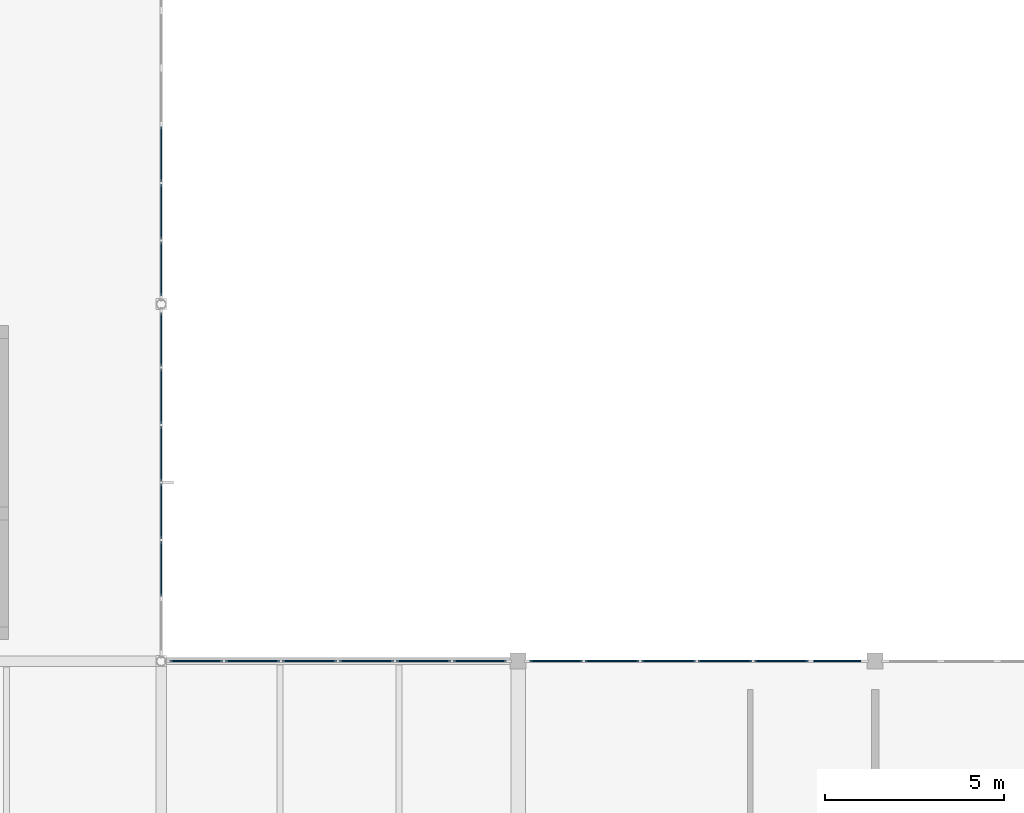
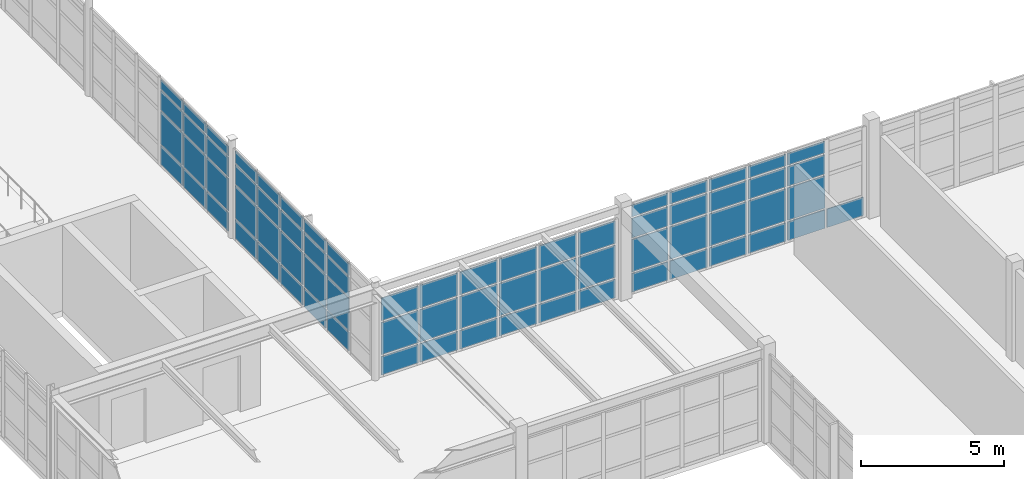
# One storey, part 93 of 122: 71 plates, 4 elements without a shape of their own.
"""IFC4 building model written with IfcOpenShell, lengths in metres."""

from ifc_helpers import new_model, si_unit, direction, frame, origin, origin_2d, place, context, subcontext, project, spatial, rectangle, extrude, material, layer, layer_set, type_object, element, aggregate, save


model = new_model("IFC4")

# Units and contexts
model_context = context("Model", 3, precision=1e-05, world=origin(), true_north=direction((0.0, 1.0)))
body_context = subcontext(model_context, "Body", "Model", "MODEL_VIEW")
ifc_project = project(units=[si_unit("LENGTHUNIT", "METRE"), si_unit("AREAUNIT", "SQUARE_METRE"), si_unit("VOLUMEUNIT", "CUBIC_METRE"), si_unit("PLANEANGLEUNIT", "RADIAN"), si_unit("MASSUNIT", "GRAM", prefix="KILO"), si_unit("THERMODYNAMICTEMPERATUREUNIT", "KELVIN"), si_unit("POWERUNIT", "WATT")], contexts=[model_context])

# Site, building, storey
site_placement = place(None, origin())
site = spatial("IfcSite", under=ifc_project, at=site_placement, CompositionType="ELEMENT")
building_placement = place(site_placement, origin())
building = spatial("IfcBuilding", under=site, at=building_placement, Name="Korenveer Ferry Terminal", CompositionType="ELEMENT")
storey_placement = place(building_placement, frame((0.0, 0.0, 10.199951171875)))
storey = spatial("IfcBuildingStorey", under=building, at=storey_placement, Name="L02", CompositionType="ELEMENT", Elevation=10.199951171875)

# Curtain wall, plates
ifc_material_1 = material(Name="Unitised bronze-and-glass curtain wall", Category="glass")
ifc_layer_1 = layer(ifc_material_1, 0.219970703125)
ifc_layer_set_1 = layer_set([ifc_layer_1], Name="Unitised bronze-and-glass curtain wall")
curtain_wall_type_1 = type_object("IfcCurtainWallType", Name="ENV-CW-98", PredefinedType="USERDEFINED", material=ifc_layer_set_1)
curtain_wall_1_placement = place(storey_placement, frame((136.16650390625, 80.0, 0.0)))
curtain_wall_1 = element("IfcCurtainWall", 1, at=curtain_wall_1_placement, inside=storey, type_object=curtain_wall_type_1, Name="Lancet curtain wall CWX-L02-X136-146-Y80-80", ObjectType="UNITISED CURTAIN WALL", PredefinedType="USERDEFINED")
ifc_material_2 = material(Name="Acoustic laminated marine glazing", Category="glass")
ifc_layer_2 = layer(ifc_material_2, 0.035888671875)
ifc_layer_set_2 = layer_set([ifc_layer_2], Name="Acoustic laminated marine glazing")
plate_type = type_object("IfcPlateType", Name="ENV-CWP-GLZ36", PredefinedType="CURTAIN_PANEL", material=ifc_layer_set_2)
plate_1_placement = place(storey_placement, frame((136.9833984375, 80.0, 0.074951171875), z_axis=(0.0, 0.0, 1.0), x_axis=(1.0, 0.0, 0.0)))
plate_1 = element("IfcPlate", 2, at=plate_1_placement, type_object=plate_type, Name="CW-98 panel 1.1", PredefinedType="CURTAIN_PANEL", context=body_context, shape_type="SweptSolid", body=[
    extrude(rectangle(XDim=1.48388671875, YDim=0.035888671875, at=origin_2d()), origin(), (0.0, 0.0, 1.0), 0.78759765625),
])
plate_2_placement = place(storey_placement, frame((136.9833984375, 80.0, 0.9375), z_axis=(0.0, 0.0, 1.0), x_axis=(1.0, 0.0, 0.0)))
plate_2 = element("IfcPlate", 3, at=plate_2_placement, type_object=plate_type, Name="CW-98 panel 1.2", PredefinedType="CURTAIN_PANEL", context=body_context, shape_type="SweptSolid", body=[
    extrude(rectangle(XDim=1.48388671875, YDim=0.035888671875, at=origin_2d()), origin(), (0.0, 0.0, 1.0), 1.375),
])
plate_3_placement = place(storey_placement, frame((136.9833984375, 80.0, 2.3876953125), z_axis=(0.0, 0.0, 1.0), x_axis=(1.0, 0.0, 0.0)))
plate_3 = element("IfcPlate", 4, at=plate_3_placement, type_object=plate_type, Name="CW-98 panel 1.3", PredefinedType="CURTAIN_PANEL", context=body_context, shape_type="SweptSolid", body=[
    extrude(rectangle(XDim=1.48388671875, YDim=0.035888671875, at=origin_2d()), origin(), (0.0, 0.0, 1.0), 0.967529296875),
])
plate_4_placement = place(storey_placement, frame((138.56103515625, 80.0, 0.074951171875), z_axis=(0.0, 0.0, 1.0), x_axis=(1.0, 0.0, 0.0)))
plate_4 = element("IfcPlate", 5, at=plate_4_placement, type_object=plate_type, Name="CW-98 panel 2.1", PredefinedType="CURTAIN_PANEL", context=body_context, shape_type="SweptSolid", body=[
    extrude(rectangle(XDim=1.521484375, YDim=0.035888671875, at=origin_2d()), origin(), (0.0, 0.0, 1.0), 0.78759765625),
])
plate_5_placement = place(storey_placement, frame((138.56103515625, 80.0, 0.9375), z_axis=(0.0, 0.0, 1.0), x_axis=(1.0, 0.0, 0.0)))
plate_5 = element("IfcPlate", 6, at=plate_5_placement, type_object=plate_type, Name="CW-98 panel 2.2", PredefinedType="CURTAIN_PANEL", context=body_context, shape_type="SweptSolid", body=[
    extrude(rectangle(XDim=1.521484375, YDim=0.035888671875, at=origin_2d()), origin(), (0.0, 0.0, 1.0), 1.375),
])
plate_6_placement = place(storey_placement, frame((138.56103515625, 80.0, 2.3876953125), z_axis=(0.0, 0.0, 1.0), x_axis=(1.0, 0.0, 0.0)))
plate_6 = element("IfcPlate", 7, at=plate_6_placement, type_object=plate_type, Name="CW-98 panel 2.3", PredefinedType="CURTAIN_PANEL", context=body_context, shape_type="SweptSolid", body=[
    extrude(rectangle(XDim=1.521484375, YDim=0.035888671875, at=origin_2d()), origin(), (0.0, 0.0, 1.0), 0.967529296875),
])
plate_7_placement = place(storey_placement, frame((140.157470703125, 80.0, 0.074951171875), z_axis=(0.0, 0.0, 1.0), x_axis=(1.0, 0.0, 0.0)))
plate_7 = element("IfcPlate", 8, at=plate_7_placement, type_object=plate_type, Name="CW-98 panel 3.1", PredefinedType="CURTAIN_PANEL", context=body_context, shape_type="SweptSolid", body=[
    extrude(rectangle(XDim=1.521484375, YDim=0.035888671875, at=origin_2d()), origin(), (0.0, 0.0, 1.0), 0.78759765625),
])
plate_8_placement = place(storey_placement, frame((140.157470703125, 80.0, 0.9375), z_axis=(0.0, 0.0, 1.0), x_axis=(1.0, 0.0, 0.0)))
plate_8 = element("IfcPlate", 9, at=plate_8_placement, type_object=plate_type, Name="CW-98 panel 3.2", PredefinedType="CURTAIN_PANEL", context=body_context, shape_type="SweptSolid", body=[
    extrude(rectangle(XDim=1.521484375, YDim=0.035888671875, at=origin_2d()), origin(), (0.0, 0.0, 1.0), 1.375),
])
plate_9_placement = place(storey_placement, frame((140.157470703125, 80.0, 2.3876953125), z_axis=(0.0, 0.0, 1.0), x_axis=(1.0, 0.0, 0.0)))
plate_9 = element("IfcPlate", 10, at=plate_9_placement, type_object=plate_type, Name="CW-98 panel 3.3", PredefinedType="CURTAIN_PANEL", context=body_context, shape_type="SweptSolid", body=[
    extrude(rectangle(XDim=1.521484375, YDim=0.035888671875, at=origin_2d()), origin(), (0.0, 0.0, 1.0), 0.967529296875),
])
plate_10_placement = place(storey_placement, frame((141.75390625, 80.0, 0.074951171875), z_axis=(0.0, 0.0, 1.0), x_axis=(1.0, 0.0, 0.0)))
plate_10 = element("IfcPlate", 11, at=plate_10_placement, type_object=plate_type, Name="CW-98 panel 4.1", PredefinedType="CURTAIN_PANEL", context=body_context, shape_type="SweptSolid", body=[
    extrude(rectangle(XDim=1.521484375, YDim=0.035888671875, at=origin_2d()), origin(), (0.0, 0.0, 1.0), 0.78759765625),
])
plate_11_placement = place(storey_placement, frame((141.75390625, 80.0, 0.9375), z_axis=(0.0, 0.0, 1.0), x_axis=(1.0, 0.0, 0.0)))
plate_11 = element("IfcPlate", 12, at=plate_11_placement, type_object=plate_type, Name="CW-98 panel 4.2", PredefinedType="CURTAIN_PANEL", context=body_context, shape_type="SweptSolid", body=[
    extrude(rectangle(XDim=1.521484375, YDim=0.035888671875, at=origin_2d()), origin(), (0.0, 0.0, 1.0), 1.375),
])
plate_12_placement = place(storey_placement, frame((141.75390625, 80.0, 2.3876953125), z_axis=(0.0, 0.0, 1.0), x_axis=(1.0, 0.0, 0.0)))
plate_12 = element("IfcPlate", 13, at=plate_12_placement, type_object=plate_type, Name="CW-98 panel 4.3", PredefinedType="CURTAIN_PANEL", context=body_context, shape_type="SweptSolid", body=[
    extrude(rectangle(XDim=1.521484375, YDim=0.035888671875, at=origin_2d()), origin(), (0.0, 0.0, 1.0), 0.967529296875),
])
plate_13_placement = place(storey_placement, frame((143.350341796875, 80.0, 0.074951171875), z_axis=(0.0, 0.0, 1.0), x_axis=(1.0, 0.0, 0.0)))
plate_13 = element("IfcPlate", 14, at=plate_13_placement, type_object=plate_type, Name="CW-98 panel 5.1", PredefinedType="CURTAIN_PANEL", context=body_context, shape_type="SweptSolid", body=[
    extrude(rectangle(XDim=1.521484375, YDim=0.035888671875, at=origin_2d()), origin(), (0.0, 0.0, 1.0), 0.78759765625),
])
plate_14_placement = place(storey_placement, frame((143.350341796875, 80.0, 0.9375), z_axis=(0.0, 0.0, 1.0), x_axis=(1.0, 0.0, 0.0)))
plate_14 = element("IfcPlate", 15, at=plate_14_placement, type_object=plate_type, Name="CW-98 panel 5.2", PredefinedType="CURTAIN_PANEL", context=body_context, shape_type="SweptSolid", body=[
    extrude(rectangle(XDim=1.521484375, YDim=0.035888671875, at=origin_2d()), origin(), (0.0, 0.0, 1.0), 1.375),
])
plate_15_placement = place(storey_placement, frame((143.350341796875, 80.0, 2.3876953125), z_axis=(0.0, 0.0, 1.0), x_axis=(1.0, 0.0, 0.0)))
plate_15 = element("IfcPlate", 16, at=plate_15_placement, type_object=plate_type, Name="CW-98 panel 5.3", PredefinedType="CURTAIN_PANEL", context=body_context, shape_type="SweptSolid", body=[
    extrude(rectangle(XDim=1.521484375, YDim=0.035888671875, at=origin_2d()), origin(), (0.0, 0.0, 1.0), 0.967529296875),
])
plate_16_placement = place(storey_placement, frame((144.927978515625, 80.0, 0.074951171875), z_axis=(0.0, 0.0, 1.0), x_axis=(1.0, 0.0, 0.0)))
plate_16 = element("IfcPlate", 17, at=plate_16_placement, type_object=plate_type, Name="CW-98 panel 6.1", PredefinedType="CURTAIN_PANEL", context=body_context, shape_type="SweptSolid", body=[
    extrude(rectangle(XDim=1.48388671875, YDim=0.035888671875, at=origin_2d()), origin(), (0.0, 0.0, 1.0), 0.78759765625),
])
plate_17_placement = place(storey_placement, frame((144.927978515625, 80.0, 0.9375), z_axis=(0.0, 0.0, 1.0), x_axis=(1.0, 0.0, 0.0)))
plate_17 = element("IfcPlate", 18, at=plate_17_placement, type_object=plate_type, Name="CW-98 panel 6.2", PredefinedType="CURTAIN_PANEL", context=body_context, shape_type="SweptSolid", body=[
    extrude(rectangle(XDim=1.48388671875, YDim=0.035888671875, at=origin_2d()), origin(), (0.0, 0.0, 1.0), 1.375),
])
plate_18_placement = place(storey_placement, frame((144.927978515625, 80.0, 2.3876953125), z_axis=(0.0, 0.0, 1.0), x_axis=(1.0, 0.0, 0.0)))
plate_18 = element("IfcPlate", 19, at=plate_18_placement, type_object=plate_type, Name="CW-98 panel 6.3", PredefinedType="CURTAIN_PANEL", context=body_context, shape_type="SweptSolid", body=[
    extrude(rectangle(XDim=1.48388671875, YDim=0.035888671875, at=origin_2d()), origin(), (0.0, 0.0, 1.0), 0.967529296875),
])
aggregate(curtain_wall_1, [plate_1, plate_2, plate_3, plate_4, plate_5, plate_6, plate_7, plate_8, plate_9, plate_10, plate_11, plate_12, plate_13, plate_14, plate_15, plate_16, plate_17, plate_18])

ifc_layer_3 = layer(ifc_material_1, 0.219970703125)
ifc_layer_set_3 = layer_set([ifc_layer_3], Name="Unitised bronze-and-glass curtain wall")
curtain_wall_type_2 = type_object("IfcCurtainWallType", Name="ENV-CW-99", PredefinedType="USERDEFINED", material=ifc_layer_set_3)
curtain_wall_2_placement = place(storey_placement, frame((146.2548828125, 80.0, 0.0)))
curtain_wall_2 = element("IfcCurtainWall", 20, at=curtain_wall_2_placement, inside=storey, type_object=curtain_wall_type_2, Name="Lancet curtain wall CWX-L02-X146-156-Y80-80", ObjectType="UNITISED CURTAIN WALL", PredefinedType="USERDEFINED")
plate_19_placement = place(storey_placement, frame((147.064697265625, 80.0, 0.074951171875), z_axis=(0.0, 0.0, 1.0), x_axis=(1.0, 0.0, 0.0)))
plate_19 = element("IfcPlate", 21, at=plate_19_placement, type_object=plate_type, Name="CW-99 panel 1.1", PredefinedType="CURTAIN_PANEL", context=body_context, shape_type="SweptSolid", body=[
    extrude(rectangle(XDim=1.46923828125, YDim=0.035888671875, at=origin_2d()), origin(), (0.0, 0.0, 1.0), 0.78759765625),
])
plate_20_placement = place(storey_placement, frame((147.064697265625, 80.0, 0.9375), z_axis=(0.0, 0.0, 1.0), x_axis=(1.0, 0.0, 0.0)))
plate_20 = element("IfcPlate", 22, at=plate_20_placement, type_object=plate_type, Name="CW-99 panel 1.2", PredefinedType="CURTAIN_PANEL", context=body_context, shape_type="SweptSolid", body=[
    extrude(rectangle(XDim=1.46923828125, YDim=0.035888671875, at=origin_2d()), origin(), (0.0, 0.0, 1.0), 1.375),
])
plate_21_placement = place(storey_placement, frame((147.064697265625, 80.0, 2.3876953125), z_axis=(0.0, 0.0, 1.0), x_axis=(1.0, 0.0, 0.0)))
plate_21 = element("IfcPlate", 23, at=plate_21_placement, type_object=plate_type, Name="CW-99 panel 1.3", PredefinedType="CURTAIN_PANEL", context=body_context, shape_type="SweptSolid", body=[
    extrude(rectangle(XDim=1.46923828125, YDim=0.035888671875, at=origin_2d()), origin(), (0.0, 0.0, 1.0), 0.824951171875),
])
plate_22_placement = place(storey_placement, frame((147.064697265625, 80.0, 3.28759765625), z_axis=(0.0, 0.0, 1.0), x_axis=(1.0, 0.0, 0.0)))
plate_22 = element("IfcPlate", 24, at=plate_22_placement, type_object=plate_type, Name="CW-99 panel 1.4", PredefinedType="CURTAIN_PANEL", context=body_context, shape_type="SweptSolid", body=[
    extrude(rectangle(XDim=1.46923828125, YDim=0.035888671875, at=origin_2d()), origin(), (0.0, 0.0, 1.0), 0.49755859375),
])
plate_23_placement = place(storey_placement, frame((148.62744140625, 80.0, 0.074951171875), z_axis=(0.0, 0.0, 1.0), x_axis=(1.0, 0.0, 0.0)))
plate_23 = element("IfcPlate", 25, at=plate_23_placement, type_object=plate_type, Name="CW-99 panel 2.1", PredefinedType="CURTAIN_PANEL", context=body_context, shape_type="SweptSolid", body=[
    extrude(rectangle(XDim=1.506591796875, YDim=0.035888671875, at=origin_2d()), origin(), (0.0, 0.0, 1.0), 0.78759765625),
])
plate_24_placement = place(storey_placement, frame((148.62744140625, 80.0, 0.9375), z_axis=(0.0, 0.0, 1.0), x_axis=(1.0, 0.0, 0.0)))
plate_24 = element("IfcPlate", 26, at=plate_24_placement, type_object=plate_type, Name="CW-99 panel 2.2", PredefinedType="CURTAIN_PANEL", context=body_context, shape_type="SweptSolid", body=[
    extrude(rectangle(XDim=1.506591796875, YDim=0.035888671875, at=origin_2d()), origin(), (0.0, 0.0, 1.0), 1.375),
])
plate_25_placement = place(storey_placement, frame((148.62744140625, 80.0, 2.3876953125), z_axis=(0.0, 0.0, 1.0), x_axis=(1.0, 0.0, 0.0)))
plate_25 = element("IfcPlate", 27, at=plate_25_placement, type_object=plate_type, Name="CW-99 panel 2.3", PredefinedType="CURTAIN_PANEL", context=body_context, shape_type="SweptSolid", body=[
    extrude(rectangle(XDim=1.506591796875, YDim=0.035888671875, at=origin_2d()), origin(), (0.0, 0.0, 1.0), 0.824951171875),
])
plate_26_placement = place(storey_placement, frame((148.62744140625, 80.0, 3.28759765625), z_axis=(0.0, 0.0, 1.0), x_axis=(1.0, 0.0, 0.0)))
plate_26 = element("IfcPlate", 28, at=plate_26_placement, type_object=plate_type, Name="CW-99 panel 2.4", PredefinedType="CURTAIN_PANEL", context=body_context, shape_type="SweptSolid", body=[
    extrude(rectangle(XDim=1.506591796875, YDim=0.035888671875, at=origin_2d()), origin(), (0.0, 0.0, 1.0), 0.49755859375),
])
plate_27_placement = place(storey_placement, frame((150.209228515625, 80.0, 0.074951171875), z_axis=(0.0, 0.0, 1.0), x_axis=(1.0, 0.0, 0.0)))
plate_27 = element("IfcPlate", 29, at=plate_27_placement, type_object=plate_type, Name="CW-99 panel 3.1", PredefinedType="CURTAIN_PANEL", context=body_context, shape_type="SweptSolid", body=[
    extrude(rectangle(XDim=1.506591796875, YDim=0.035888671875, at=origin_2d()), origin(), (0.0, 0.0, 1.0), 0.78759765625),
])
plate_28_placement = place(storey_placement, frame((150.209228515625, 80.0, 0.9375), z_axis=(0.0, 0.0, 1.0), x_axis=(1.0, 0.0, 0.0)))
plate_28 = element("IfcPlate", 30, at=plate_28_placement, type_object=plate_type, Name="CW-99 panel 3.2", PredefinedType="CURTAIN_PANEL", context=body_context, shape_type="SweptSolid", body=[
    extrude(rectangle(XDim=1.506591796875, YDim=0.035888671875, at=origin_2d()), origin(), (0.0, 0.0, 1.0), 1.375),
])
plate_29_placement = place(storey_placement, frame((150.209228515625, 80.0, 2.3876953125), z_axis=(0.0, 0.0, 1.0), x_axis=(1.0, 0.0, 0.0)))
plate_29 = element("IfcPlate", 31, at=plate_29_placement, type_object=plate_type, Name="CW-99 panel 3.3", PredefinedType="CURTAIN_PANEL", context=body_context, shape_type="SweptSolid", body=[
    extrude(rectangle(XDim=1.506591796875, YDim=0.035888671875, at=origin_2d()), origin(), (0.0, 0.0, 1.0), 0.824951171875),
])
plate_30_placement = place(storey_placement, frame((150.209228515625, 80.0, 3.28759765625), z_axis=(0.0, 0.0, 1.0), x_axis=(1.0, 0.0, 0.0)))
plate_30 = element("IfcPlate", 32, at=plate_30_placement, type_object=plate_type, Name="CW-99 panel 3.4", PredefinedType="CURTAIN_PANEL", context=body_context, shape_type="SweptSolid", body=[
    extrude(rectangle(XDim=1.506591796875, YDim=0.035888671875, at=origin_2d()), origin(), (0.0, 0.0, 1.0), 0.49755859375),
])
plate_31_placement = place(storey_placement, frame((151.790771484375, 80.0, 0.074951171875), z_axis=(0.0, 0.0, 1.0), x_axis=(1.0, 0.0, 0.0)))
plate_31 = element("IfcPlate", 33, at=plate_31_placement, type_object=plate_type, Name="CW-99 panel 4.1", PredefinedType="CURTAIN_PANEL", context=body_context, shape_type="SweptSolid", body=[
    extrude(rectangle(XDim=1.506591796875, YDim=0.035888671875, at=origin_2d()), origin(), (0.0, 0.0, 1.0), 0.78759765625),
])
plate_32_placement = place(storey_placement, frame((151.790771484375, 80.0, 0.9375), z_axis=(0.0, 0.0, 1.0), x_axis=(1.0, 0.0, 0.0)))
plate_32 = element("IfcPlate", 34, at=plate_32_placement, type_object=plate_type, Name="CW-99 panel 4.2", PredefinedType="CURTAIN_PANEL", context=body_context, shape_type="SweptSolid", body=[
    extrude(rectangle(XDim=1.506591796875, YDim=0.035888671875, at=origin_2d()), origin(), (0.0, 0.0, 1.0), 1.375),
])
plate_33_placement = place(storey_placement, frame((151.790771484375, 80.0, 2.3876953125), z_axis=(0.0, 0.0, 1.0), x_axis=(1.0, 0.0, 0.0)))
plate_33 = element("IfcPlate", 35, at=plate_33_placement, type_object=plate_type, Name="CW-99 panel 4.3", PredefinedType="CURTAIN_PANEL", context=body_context, shape_type="SweptSolid", body=[
    extrude(rectangle(XDim=1.506591796875, YDim=0.035888671875, at=origin_2d()), origin(), (0.0, 0.0, 1.0), 0.824951171875),
])
plate_34_placement = place(storey_placement, frame((151.790771484375, 80.0, 3.28759765625), z_axis=(0.0, 0.0, 1.0), x_axis=(1.0, 0.0, 0.0)))
plate_34 = element("IfcPlate", 36, at=plate_34_placement, type_object=plate_type, Name="CW-99 panel 4.4", PredefinedType="CURTAIN_PANEL", context=body_context, shape_type="SweptSolid", body=[
    extrude(rectangle(XDim=1.506591796875, YDim=0.035888671875, at=origin_2d()), origin(), (0.0, 0.0, 1.0), 0.49755859375),
])
plate_35_placement = place(storey_placement, frame((153.37255859375, 80.0, 0.074951171875), z_axis=(0.0, 0.0, 1.0), x_axis=(1.0, 0.0, 0.0)))
plate_35 = element("IfcPlate", 37, at=plate_35_placement, type_object=plate_type, Name="CW-99 panel 5.1", PredefinedType="CURTAIN_PANEL", context=body_context, shape_type="SweptSolid", body=[
    extrude(rectangle(XDim=1.506591796875, YDim=0.035888671875, at=origin_2d()), origin(), (0.0, 0.0, 1.0), 0.78759765625),
])
plate_36_placement = place(storey_placement, frame((153.37255859375, 80.0, 0.9375), z_axis=(0.0, 0.0, 1.0), x_axis=(1.0, 0.0, 0.0)))
plate_36 = element("IfcPlate", 38, at=plate_36_placement, type_object=plate_type, Name="CW-99 panel 5.2", PredefinedType="CURTAIN_PANEL", context=body_context, shape_type="SweptSolid", body=[
    extrude(rectangle(XDim=1.506591796875, YDim=0.035888671875, at=origin_2d()), origin(), (0.0, 0.0, 1.0), 1.375),
])
plate_37_placement = place(storey_placement, frame((153.37255859375, 80.0, 2.3876953125), z_axis=(0.0, 0.0, 1.0), x_axis=(1.0, 0.0, 0.0)))
plate_37 = element("IfcPlate", 39, at=plate_37_placement, type_object=plate_type, Name="CW-99 panel 5.3", PredefinedType="CURTAIN_PANEL", context=body_context, shape_type="SweptSolid", body=[
    extrude(rectangle(XDim=1.506591796875, YDim=0.035888671875, at=origin_2d()), origin(), (0.0, 0.0, 1.0), 0.824951171875),
])
plate_38_placement = place(storey_placement, frame((153.37255859375, 80.0, 3.28759765625), z_axis=(0.0, 0.0, 1.0), x_axis=(1.0, 0.0, 0.0)))
plate_38 = element("IfcPlate", 40, at=plate_38_placement, type_object=plate_type, Name="CW-99 panel 5.4", PredefinedType="CURTAIN_PANEL", context=body_context, shape_type="SweptSolid", body=[
    extrude(rectangle(XDim=1.506591796875, YDim=0.035888671875, at=origin_2d()), origin(), (0.0, 0.0, 1.0), 0.49755859375),
])
plate_39_placement = place(storey_placement, frame((154.935302734375, 80.0, 0.074951171875), z_axis=(0.0, 0.0, 1.0), x_axis=(1.0, 0.0, 0.0)))
plate_39 = element("IfcPlate", 41, at=plate_39_placement, type_object=plate_type, Name="CW-99 panel 6.1", PredefinedType="CURTAIN_PANEL", context=body_context, shape_type="SweptSolid", body=[
    extrude(rectangle(XDim=1.46923828125, YDim=0.035888671875, at=origin_2d()), origin(), (0.0, 0.0, 1.0), 0.78759765625),
])
aggregate(curtain_wall_2, [plate_19, plate_20, plate_21, plate_22, plate_23, plate_24, plate_25, plate_26, plate_27, plate_28, plate_29, plate_30, plate_31, plate_32, plate_33, plate_34, plate_35, plate_36, plate_37, plate_38, plate_39])

ifc_layer_4 = layer(ifc_material_1, 0.219970703125)
ifc_layer_set_4 = layer_set([ifc_layer_4], Name="Unitised bronze-and-glass curtain wall")
curtain_wall_type_3 = type_object("IfcCurtainWallType", Name="ENV-CW-110", PredefinedType="USERDEFINED", material=ifc_layer_set_4)
curtain_wall_3_placement = place(storey_placement, frame((136.0, 89.83349609375, 0.0)))
curtain_wall_3 = element("IfcCurtainWall", 42, at=curtain_wall_3_placement, inside=storey, type_object=curtain_wall_type_3, Name="Lancet curtain wall CWX-L02-X136-136-Y80-90", ObjectType="UNITISED CURTAIN WALL", PredefinedType="USERDEFINED")
plate_40_placement = place(storey_placement, frame((136.0, 89.00927734375, 0.074951171875), z_axis=(0.0, 0.0, 1.0), x_axis=(0.0, -1.0, 0.0)))
plate_40 = element("IfcPlate", 43, at=plate_40_placement, type_object=plate_type, Name="CW-110 panel 1.1", PredefinedType="CURTAIN_PANEL", context=body_context, shape_type="SweptSolid", body=[
    extrude(rectangle(XDim=1.498779296875, YDim=0.035888671875, at=origin_2d()), origin(), (0.0, 0.0, 1.0), 0.78759765625),
])
plate_41_placement = place(storey_placement, frame((136.0, 89.00927734375, 0.9375), z_axis=(0.0, 0.0, 1.0), x_axis=(0.0, -1.0, 0.0)))
plate_41 = element("IfcPlate", 44, at=plate_41_placement, type_object=plate_type, Name="CW-110 panel 1.2", PredefinedType="CURTAIN_PANEL", context=body_context, shape_type="SweptSolid", body=[
    extrude(rectangle(XDim=1.498779296875, YDim=0.035888671875, at=origin_2d()), origin(), (0.0, 0.0, 1.0), 1.375),
])
plate_42_placement = place(storey_placement, frame((136.0, 89.00927734375, 2.3876953125), z_axis=(0.0, 0.0, 1.0), x_axis=(0.0, -1.0, 0.0)))
plate_42 = element("IfcPlate", 45, at=plate_42_placement, type_object=plate_type, Name="CW-110 panel 1.3", PredefinedType="CURTAIN_PANEL", context=body_context, shape_type="SweptSolid", body=[
    extrude(rectangle(XDim=1.498779296875, YDim=0.035888671875, at=origin_2d()), origin(), (0.0, 0.0, 1.0), 0.824951171875),
])
plate_43_placement = place(storey_placement, frame((136.0, 89.00927734375, 3.28759765625), z_axis=(0.0, 0.0, 1.0), x_axis=(0.0, -1.0, 0.0)))
plate_43 = element("IfcPlate", 46, at=plate_43_placement, type_object=plate_type, Name="CW-110 panel 1.4", PredefinedType="CURTAIN_PANEL", context=body_context, shape_type="SweptSolid", body=[
    extrude(rectangle(XDim=1.498779296875, YDim=0.035888671875, at=origin_2d()), origin(), (0.0, 0.0, 1.0), 0.49755859375),
])
plate_44_placement = place(storey_placement, frame((136.0, 87.416748046875, 0.074951171875), z_axis=(0.0, 0.0, 1.0), x_axis=(0.0, -1.0, 0.0)))
plate_44 = element("IfcPlate", 47, at=plate_44_placement, type_object=plate_type, Name="CW-110 panel 2.1", PredefinedType="CURTAIN_PANEL", context=body_context, shape_type="SweptSolid", body=[
    extrude(rectangle(XDim=1.5361328125, YDim=0.035888671875, at=origin_2d()), origin(), (0.0, 0.0, 1.0), 0.78759765625),
])
plate_45_placement = place(storey_placement, frame((136.0, 87.416748046875, 0.9375), z_axis=(0.0, 0.0, 1.0), x_axis=(0.0, -1.0, 0.0)))
plate_45 = element("IfcPlate", 48, at=plate_45_placement, type_object=plate_type, Name="CW-110 panel 2.2", PredefinedType="CURTAIN_PANEL", context=body_context, shape_type="SweptSolid", body=[
    extrude(rectangle(XDim=1.5361328125, YDim=0.035888671875, at=origin_2d()), origin(), (0.0, 0.0, 1.0), 1.375),
])
plate_46_placement = place(storey_placement, frame((136.0, 87.416748046875, 2.3876953125), z_axis=(0.0, 0.0, 1.0), x_axis=(0.0, -1.0, 0.0)))
plate_46 = element("IfcPlate", 49, at=plate_46_placement, type_object=plate_type, Name="CW-110 panel 2.3", PredefinedType="CURTAIN_PANEL", context=body_context, shape_type="SweptSolid", body=[
    extrude(rectangle(XDim=1.5361328125, YDim=0.035888671875, at=origin_2d()), origin(), (0.0, 0.0, 1.0), 0.824951171875),
])
plate_47_placement = place(storey_placement, frame((136.0, 87.416748046875, 3.28759765625), z_axis=(0.0, 0.0, 1.0), x_axis=(0.0, -1.0, 0.0)))
plate_47 = element("IfcPlate", 50, at=plate_47_placement, type_object=plate_type, Name="CW-110 panel 2.4", PredefinedType="CURTAIN_PANEL", context=body_context, shape_type="SweptSolid", body=[
    extrude(rectangle(XDim=1.5361328125, YDim=0.035888671875, at=origin_2d()), origin(), (0.0, 0.0, 1.0), 0.49755859375),
])
plate_48_placement = place(storey_placement, frame((136.0, 85.8056640625, 0.074951171875), z_axis=(0.0, 0.0, 1.0), x_axis=(0.0, -1.0, 0.0)))
plate_48 = element("IfcPlate", 51, at=plate_48_placement, type_object=plate_type, Name="CW-110 panel 3.1", PredefinedType="CURTAIN_PANEL", context=body_context, shape_type="SweptSolid", body=[
    extrude(rectangle(XDim=1.5361328125, YDim=0.035888671875, at=origin_2d()), origin(), (0.0, 0.0, 1.0), 0.78759765625),
])
plate_49_placement = place(storey_placement, frame((136.0, 85.8056640625, 0.9375), z_axis=(0.0, 0.0, 1.0), x_axis=(0.0, -1.0, 0.0)))
plate_49 = element("IfcPlate", 52, at=plate_49_placement, type_object=plate_type, Name="CW-110 panel 3.2", PredefinedType="CURTAIN_PANEL", context=body_context, shape_type="SweptSolid", body=[
    extrude(rectangle(XDim=1.5361328125, YDim=0.035888671875, at=origin_2d()), origin(), (0.0, 0.0, 1.0), 1.375),
])
plate_50_placement = place(storey_placement, frame((136.0, 85.8056640625, 2.3876953125), z_axis=(0.0, 0.0, 1.0), x_axis=(0.0, -1.0, 0.0)))
plate_50 = element("IfcPlate", 53, at=plate_50_placement, type_object=plate_type, Name="CW-110 panel 3.3", PredefinedType="CURTAIN_PANEL", context=body_context, shape_type="SweptSolid", body=[
    extrude(rectangle(XDim=1.5361328125, YDim=0.035888671875, at=origin_2d()), origin(), (0.0, 0.0, 1.0), 0.824951171875),
])
plate_51_placement = place(storey_placement, frame((136.0, 85.8056640625, 3.28759765625), z_axis=(0.0, 0.0, 1.0), x_axis=(0.0, -1.0, 0.0)))
plate_51 = element("IfcPlate", 54, at=plate_51_placement, type_object=plate_type, Name="CW-110 panel 3.4", PredefinedType="CURTAIN_PANEL", context=body_context, shape_type="SweptSolid", body=[
    extrude(rectangle(XDim=1.5361328125, YDim=0.035888671875, at=origin_2d()), origin(), (0.0, 0.0, 1.0), 0.49755859375),
])
plate_52_placement = place(storey_placement, frame((136.0, 84.1943359375, 0.074951171875), z_axis=(0.0, 0.0, 1.0), x_axis=(0.0, -1.0, 0.0)))
plate_52 = element("IfcPlate", 55, at=plate_52_placement, type_object=plate_type, Name="CW-110 panel 4.1", PredefinedType="CURTAIN_PANEL", context=body_context, shape_type="SweptSolid", body=[
    extrude(rectangle(XDim=1.5361328125, YDim=0.035888671875, at=origin_2d()), origin(), (0.0, 0.0, 1.0), 0.78759765625),
])
plate_53_placement = place(storey_placement, frame((136.0, 84.1943359375, 0.9375), z_axis=(0.0, 0.0, 1.0), x_axis=(0.0, -1.0, 0.0)))
plate_53 = element("IfcPlate", 56, at=plate_53_placement, type_object=plate_type, Name="CW-110 panel 4.2", PredefinedType="CURTAIN_PANEL", context=body_context, shape_type="SweptSolid", body=[
    extrude(rectangle(XDim=1.5361328125, YDim=0.035888671875, at=origin_2d()), origin(), (0.0, 0.0, 1.0), 1.375),
])
plate_54_placement = place(storey_placement, frame((136.0, 84.1943359375, 2.3876953125), z_axis=(0.0, 0.0, 1.0), x_axis=(0.0, -1.0, 0.0)))
plate_54 = element("IfcPlate", 57, at=plate_54_placement, type_object=plate_type, Name="CW-110 panel 4.3", PredefinedType="CURTAIN_PANEL", context=body_context, shape_type="SweptSolid", body=[
    extrude(rectangle(XDim=1.5361328125, YDim=0.035888671875, at=origin_2d()), origin(), (0.0, 0.0, 1.0), 0.824951171875),
])
plate_55_placement = place(storey_placement, frame((136.0, 84.1943359375, 3.28759765625), z_axis=(0.0, 0.0, 1.0), x_axis=(0.0, -1.0, 0.0)))
plate_55 = element("IfcPlate", 58, at=plate_55_placement, type_object=plate_type, Name="CW-110 panel 4.4", PredefinedType="CURTAIN_PANEL", context=body_context, shape_type="SweptSolid", body=[
    extrude(rectangle(XDim=1.5361328125, YDim=0.035888671875, at=origin_2d()), origin(), (0.0, 0.0, 1.0), 0.49755859375),
])
plate_56_placement = place(storey_placement, frame((136.0, 82.583251953125, 0.074951171875), z_axis=(0.0, 0.0, 1.0), x_axis=(0.0, -1.0, 0.0)))
plate_56 = element("IfcPlate", 59, at=plate_56_placement, type_object=plate_type, Name="CW-110 panel 5.1", PredefinedType="CURTAIN_PANEL", context=body_context, shape_type="SweptSolid", body=[
    extrude(rectangle(XDim=1.5361328125, YDim=0.035888671875, at=origin_2d()), origin(), (0.0, 0.0, 1.0), 0.78759765625),
])
plate_57_placement = place(storey_placement, frame((136.0, 82.583251953125, 0.9375), z_axis=(0.0, 0.0, 1.0), x_axis=(0.0, -1.0, 0.0)))
plate_57 = element("IfcPlate", 60, at=plate_57_placement, type_object=plate_type, Name="CW-110 panel 5.2", PredefinedType="CURTAIN_PANEL", context=body_context, shape_type="SweptSolid", body=[
    extrude(rectangle(XDim=1.5361328125, YDim=0.035888671875, at=origin_2d()), origin(), (0.0, 0.0, 1.0), 1.375),
])
plate_58_placement = place(storey_placement, frame((136.0, 82.583251953125, 2.3876953125), z_axis=(0.0, 0.0, 1.0), x_axis=(0.0, -1.0, 0.0)))
plate_58 = element("IfcPlate", 61, at=plate_58_placement, type_object=plate_type, Name="CW-110 panel 5.3", PredefinedType="CURTAIN_PANEL", context=body_context, shape_type="SweptSolid", body=[
    extrude(rectangle(XDim=1.5361328125, YDim=0.035888671875, at=origin_2d()), origin(), (0.0, 0.0, 1.0), 0.824951171875),
])
plate_59_placement = place(storey_placement, frame((136.0, 82.583251953125, 3.28759765625), z_axis=(0.0, 0.0, 1.0), x_axis=(0.0, -1.0, 0.0)))
plate_59 = element("IfcPlate", 62, at=plate_59_placement, type_object=plate_type, Name="CW-110 panel 5.4", PredefinedType="CURTAIN_PANEL", context=body_context, shape_type="SweptSolid", body=[
    extrude(rectangle(XDim=1.5361328125, YDim=0.035888671875, at=origin_2d()), origin(), (0.0, 0.0, 1.0), 0.49755859375),
])
aggregate(curtain_wall_3, [plate_40, plate_41, plate_42, plate_43, plate_44, plate_45, plate_46, plate_47, plate_48, plate_49, plate_50, plate_51, plate_52, plate_53, plate_54, plate_55, plate_56, plate_57, plate_58, plate_59])

ifc_layer_5 = layer(ifc_material_1, 0.219970703125)
ifc_layer_set_5 = layer_set([ifc_layer_5], Name="Unitised bronze-and-glass curtain wall")
curtain_wall_type_4 = type_object("IfcCurtainWallType", Name="ENV-CW-111", PredefinedType="USERDEFINED", material=ifc_layer_set_5)
curtain_wall_4_placement = place(storey_placement, frame((136.0, 99.83349609375, 0.0)))
curtain_wall_4 = element("IfcCurtainWall", 63, at=curtain_wall_4_placement, inside=storey, type_object=curtain_wall_type_4, Name="Lancet curtain wall CWX-L02-X136-136-Y90-100", ObjectType="UNITISED CURTAIN WALL", PredefinedType="USERDEFINED")
plate_60_placement = place(storey_placement, frame((136.0, 94.1943359375, 0.074951171875), z_axis=(0.0, 0.0, 1.0), x_axis=(0.0, -1.0, 0.0)))
plate_60 = element("IfcPlate", 64, at=plate_60_placement, type_object=plate_type, Name="CW-111 panel 4.1", PredefinedType="CURTAIN_PANEL", context=body_context, shape_type="SweptSolid", body=[
    extrude(rectangle(XDim=1.5361328125, YDim=0.035888671875, at=origin_2d()), origin(), (0.0, 0.0, 1.0), 0.78759765625),
])
plate_61_placement = place(storey_placement, frame((136.0, 94.1943359375, 0.9375), z_axis=(0.0, 0.0, 1.0), x_axis=(0.0, -1.0, 0.0)))
plate_61 = element("IfcPlate", 65, at=plate_61_placement, type_object=plate_type, Name="CW-111 panel 4.2", PredefinedType="CURTAIN_PANEL", context=body_context, shape_type="SweptSolid", body=[
    extrude(rectangle(XDim=1.5361328125, YDim=0.035888671875, at=origin_2d()), origin(), (0.0, 0.0, 1.0), 1.375),
])
plate_62_placement = place(storey_placement, frame((136.0, 94.1943359375, 2.3876953125), z_axis=(0.0, 0.0, 1.0), x_axis=(0.0, -1.0, 0.0)))
plate_62 = element("IfcPlate", 66, at=plate_62_placement, type_object=plate_type, Name="CW-111 panel 4.3", PredefinedType="CURTAIN_PANEL", context=body_context, shape_type="SweptSolid", body=[
    extrude(rectangle(XDim=1.5361328125, YDim=0.035888671875, at=origin_2d()), origin(), (0.0, 0.0, 1.0), 0.824951171875),
])
plate_63_placement = place(storey_placement, frame((136.0, 94.1943359375, 3.28759765625), z_axis=(0.0, 0.0, 1.0), x_axis=(0.0, -1.0, 0.0)))
plate_63 = element("IfcPlate", 67, at=plate_63_placement, type_object=plate_type, Name="CW-111 panel 4.4", PredefinedType="CURTAIN_PANEL", context=body_context, shape_type="SweptSolid", body=[
    extrude(rectangle(XDim=1.5361328125, YDim=0.035888671875, at=origin_2d()), origin(), (0.0, 0.0, 1.0), 0.3974609375),
])
plate_64_placement = place(storey_placement, frame((136.0, 92.583251953125, 0.074951171875), z_axis=(0.0, 0.0, 1.0), x_axis=(0.0, -1.0, 0.0)))
plate_64 = element("IfcPlate", 68, at=plate_64_placement, type_object=plate_type, Name="CW-111 panel 5.1", PredefinedType="CURTAIN_PANEL", context=body_context, shape_type="SweptSolid", body=[
    extrude(rectangle(XDim=1.5361328125, YDim=0.035888671875, at=origin_2d()), origin(), (0.0, 0.0, 1.0), 0.78759765625),
])
plate_65_placement = place(storey_placement, frame((136.0, 92.583251953125, 0.9375), z_axis=(0.0, 0.0, 1.0), x_axis=(0.0, -1.0, 0.0)))
plate_65 = element("IfcPlate", 69, at=plate_65_placement, type_object=plate_type, Name="CW-111 panel 5.2", PredefinedType="CURTAIN_PANEL", context=body_context, shape_type="SweptSolid", body=[
    extrude(rectangle(XDim=1.5361328125, YDim=0.035888671875, at=origin_2d()), origin(), (0.0, 0.0, 1.0), 1.375),
])
plate_66_placement = place(storey_placement, frame((136.0, 92.583251953125, 2.3876953125), z_axis=(0.0, 0.0, 1.0), x_axis=(0.0, -1.0, 0.0)))
plate_66 = element("IfcPlate", 70, at=plate_66_placement, type_object=plate_type, Name="CW-111 panel 5.3", PredefinedType="CURTAIN_PANEL", context=body_context, shape_type="SweptSolid", body=[
    extrude(rectangle(XDim=1.5361328125, YDim=0.035888671875, at=origin_2d()), origin(), (0.0, 0.0, 1.0), 0.824951171875),
])
plate_67_placement = place(storey_placement, frame((136.0, 92.583251953125, 3.28759765625), z_axis=(0.0, 0.0, 1.0), x_axis=(0.0, -1.0, 0.0)))
plate_67 = element("IfcPlate", 71, at=plate_67_placement, type_object=plate_type, Name="CW-111 panel 5.4", PredefinedType="CURTAIN_PANEL", context=body_context, shape_type="SweptSolid", body=[
    extrude(rectangle(XDim=1.5361328125, YDim=0.035888671875, at=origin_2d()), origin(), (0.0, 0.0, 1.0), 0.3974609375),
])
plate_68_placement = place(storey_placement, frame((136.0, 90.99072265625, 0.074951171875), z_axis=(0.0, 0.0, 1.0), x_axis=(0.0, -1.0, 0.0)))
plate_68 = element("IfcPlate", 72, at=plate_68_placement, type_object=plate_type, Name="CW-111 panel 6.1", PredefinedType="CURTAIN_PANEL", context=body_context, shape_type="SweptSolid", body=[
    extrude(rectangle(XDim=1.498779296875, YDim=0.035888671875, at=origin_2d()), origin(), (0.0, 0.0, 1.0), 0.78759765625),
])
plate_69_placement = place(storey_placement, frame((136.0, 90.99072265625, 0.9375), z_axis=(0.0, 0.0, 1.0), x_axis=(0.0, -1.0, 0.0)))
plate_69 = element("IfcPlate", 73, at=plate_69_placement, type_object=plate_type, Name="CW-111 panel 6.2", PredefinedType="CURTAIN_PANEL", context=body_context, shape_type="SweptSolid", body=[
    extrude(rectangle(XDim=1.498779296875, YDim=0.035888671875, at=origin_2d()), origin(), (0.0, 0.0, 1.0), 1.375),
])
plate_70_placement = place(storey_placement, frame((136.0, 90.99072265625, 2.3876953125), z_axis=(0.0, 0.0, 1.0), x_axis=(0.0, -1.0, 0.0)))
plate_70 = element("IfcPlate", 74, at=plate_70_placement, type_object=plate_type, Name="CW-111 panel 6.3", PredefinedType="CURTAIN_PANEL", context=body_context, shape_type="SweptSolid", body=[
    extrude(rectangle(XDim=1.498779296875, YDim=0.035888671875, at=origin_2d()), origin(), (0.0, 0.0, 1.0), 0.824951171875),
])
plate_71_placement = place(storey_placement, frame((136.0, 90.99072265625, 3.28759765625), z_axis=(0.0, 0.0, 1.0), x_axis=(0.0, -1.0, 0.0)))
plate_71 = element("IfcPlate", 75, at=plate_71_placement, type_object=plate_type, Name="CW-111 panel 6.4", PredefinedType="CURTAIN_PANEL", context=body_context, shape_type="SweptSolid", body=[
    extrude(rectangle(XDim=1.498779296875, YDim=0.035888671875, at=origin_2d()), origin(), (0.0, 0.0, 1.0), 0.3974609375),
])
aggregate(curtain_wall_4, [plate_60, plate_61, plate_62, plate_63, plate_64, plate_65, plate_66, plate_67, plate_68, plate_69, plate_70, plate_71])

save(model, "model.ifc")
